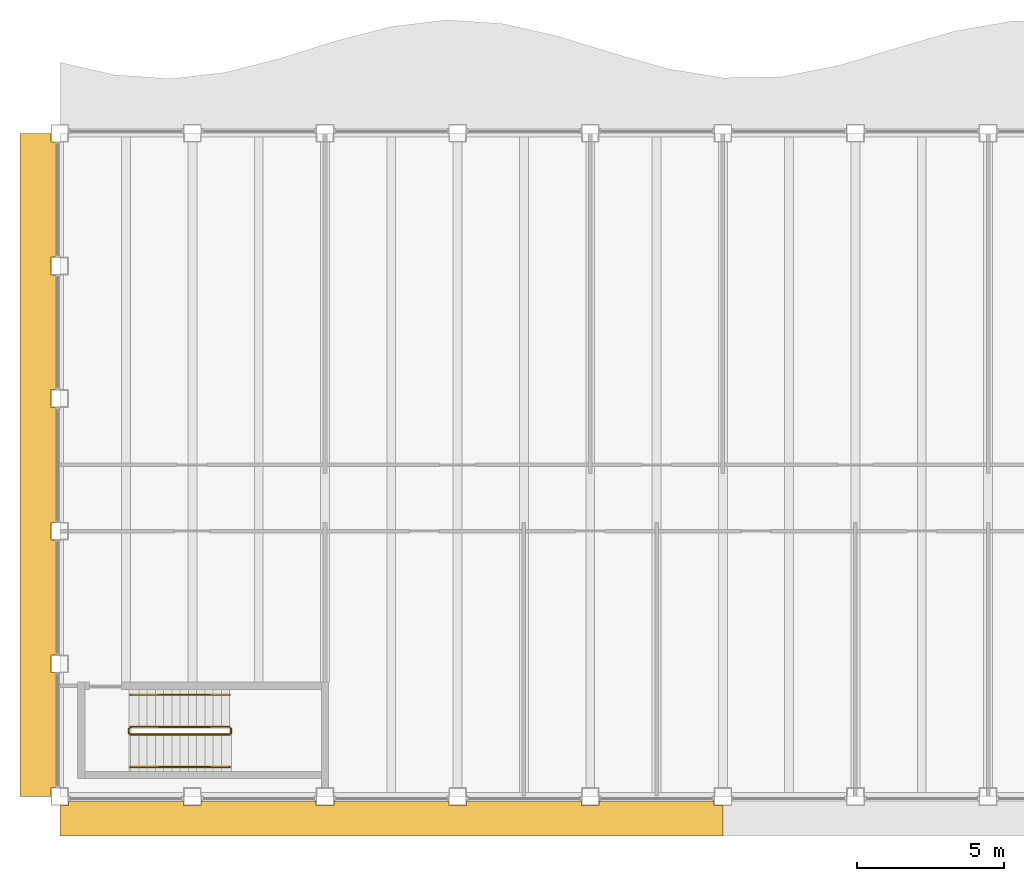
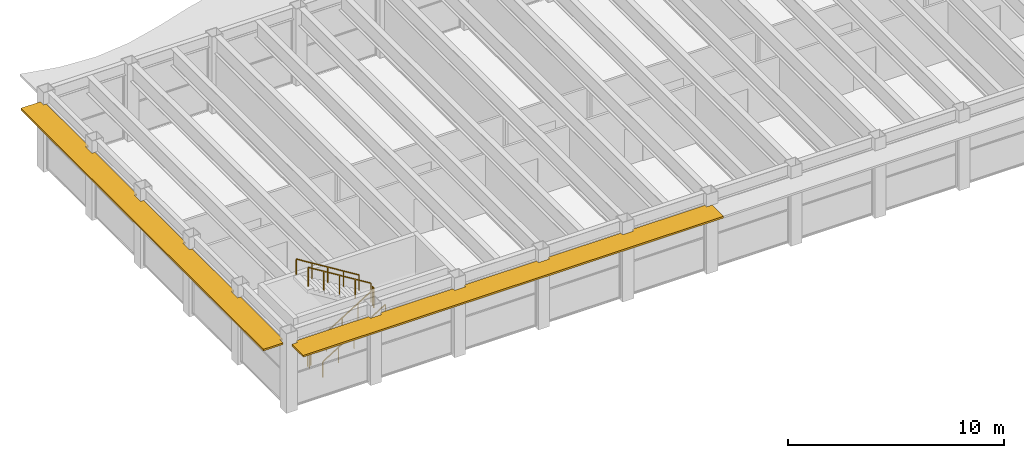
# One storey, part 12 of 14: 6 railings, 2 shading devices.
"""IFC4 building model written with IfcOpenShell, lengths in metres."""

from ifc_helpers import new_model, si_unit, direction, frame, origin, origin_2d, place, context, subcontext, project, spatial, polyline, rectangle, outline, extrude, material, layer, layer_set, type_object, element, save


model = new_model("IFC4")

# Units and contexts
model_context = context("Model", 3, precision=1e-05, world=origin(), true_north=direction((0.0, 1.0)))
body_context = subcontext(model_context, "Body", "Model", "MODEL_VIEW")
ifc_project = project(units=[si_unit("LENGTHUNIT", "METRE"), si_unit("AREAUNIT", "SQUARE_METRE"), si_unit("VOLUMEUNIT", "CUBIC_METRE"), si_unit("PLANEANGLEUNIT", "RADIAN"), si_unit("MASSUNIT", "GRAM", prefix="KILO")], contexts=[model_context])

# Site, building, storey
site_placement = place(None, origin())
site = spatial("IfcSite", under=ifc_project, at=site_placement, CompositionType="ELEMENT")
building_placement = place(site_placement, origin())
building = spatial("IfcBuilding", under=site, at=building_placement, Name="Sennacour Bend Tower", CompositionType="ELEMENT")
storey_placement = place(building_placement, frame((0.0, 0.0, 332.0)))
storey = spatial("IfcBuildingStorey", under=building, at=storey_placement, Name="L76", CompositionType="ELEMENT", Elevation=332.0)

# Railings
ifc_material_1 = material(Name="Stainless steel", Category="steel")
railing_type_1 = type_object("IfcRailingType", Name="RL-GUARD-1100", PredefinedType="GUARDRAIL", material=ifc_material_1)
railing_1_placement = place(storey_placement, frame((2.39990234375, 2.10009765625, 0.173095703125)))
element("IfcRailing", 1, at=railing_1_placement, inside=storey, type_object=railing_type_1, Name="L76 SK1 stair guard 1", PredefinedType="GUARDRAIL", context=body_context, shape_type="SweptSolid", body=[
    extrude(rectangle(XDim=0.048095703125, YDim=0.048095703125, at=origin_2d()), frame((0.0, 0.0, 1.076171875), z_axis=(0.850623216509, 0.0, 0.525775754039), x_axis=(0.0, 1.0, 0.0)), (0.0, 0.0, 1.0), 3.9501953125),
    extrude(rectangle(XDim=0.0419921875, YDim=0.0419921875, at=origin_2d()), origin(), (0.0, 0.0, 1.0), 1.052001953125),
    extrude(rectangle(XDim=0.0419921875, YDim=0.0419921875, at=origin_2d()), frame((0.840087890625, 0.0, 0.519287109375)), (0.0, 0.0, 1.0), 1.052001953125),
    extrude(rectangle(XDim=0.0419921875, YDim=0.0419921875, at=origin_2d()), frame((1.68017578125, 0.0, 1.03857421875)), (0.0, 0.0, 1.0), 1.052001953125),
    extrude(rectangle(XDim=0.0419921875, YDim=0.0419921875, at=origin_2d()), frame((2.52001953125, 0.0, 1.5576171875)), (0.0, 0.0, 1.0), 1.052001953125),
    extrude(rectangle(XDim=0.0419921875, YDim=0.0419921875, at=origin_2d()), frame((3.360107421875, 0.0, 2.076904296875)), (0.0, 0.0, 1.0), 1.052001953125),
])
railing_2_placement = place(storey_placement, frame((5.81005859375, 2.14990234375, 2.25)))
element("IfcRailing", 2, at=railing_2_placement, inside=storey, type_object=railing_type_1, Name="L76 SK1 stair guard 2", PredefinedType="GUARDRAIL", context=body_context, shape_type="SweptSolid", body=[
    extrude(rectangle(XDim=0.048095703125, YDim=0.048095703125, at=origin_2d()), frame((0.0, 0.0, 1.076171875), z_axis=(0.0, 1.0, 0.0), x_axis=(-1.0, 0.0, 0.0)), (0.0, 0.0, 1.0), 0.150146484375),
    extrude(rectangle(XDim=0.0419921875, YDim=0.0419921875, at=origin_2d()), origin(), (0.0, 0.0, 1.0), 1.052001953125),
    extrude(rectangle(XDim=0.0419921875, YDim=0.0419921875, at=origin_2d()), frame((0.0, 0.150146484375, 0.0)), (0.0, 0.0, 1.0), 1.052001953125),
])
railing_3_placement = place(storey_placement, frame((5.760009765625, 2.35009765625, 2.423095703125)))
element("IfcRailing", 3, at=railing_3_placement, inside=storey, type_object=railing_type_1, Name="L76 SK1 stair guard 3", PredefinedType="GUARDRAIL", context=body_context, shape_type="SweptSolid", body=[
    extrude(rectangle(XDim=0.048095703125, YDim=0.048095703125, at=origin_2d()), frame((0.0, 0.0, 1.076171875), z_axis=(-0.850623216509, 0.0, 0.525775754039), x_axis=(0.0, -1.0, 0.0)), (0.0, 0.0, 1.0), 3.9501953125),
    extrude(rectangle(XDim=0.0419921875, YDim=0.0419921875, at=origin_2d()), origin(), (0.0, 0.0, 1.0), 1.052001953125),
    extrude(rectangle(XDim=0.0419921875, YDim=0.0419921875, at=origin_2d()), frame((-0.840087890625, 0.0, 0.519287109375)), (0.0, 0.0, 1.0), 1.052001953125),
    extrude(rectangle(XDim=0.0419921875, YDim=0.0419921875, at=origin_2d()), frame((-1.68017578125, 0.0, 1.03857421875)), (0.0, 0.0, 1.0), 1.052001953125),
    extrude(rectangle(XDim=0.0419921875, YDim=0.0419921875, at=origin_2d()), frame((-2.52001953125, 0.0, 1.5576171875)), (0.0, 0.0, 1.0), 1.052001953125),
    extrude(rectangle(XDim=0.0419921875, YDim=0.0419921875, at=origin_2d()), frame((-3.360107421875, 0.0, 2.076904296875)), (0.0, 0.0, 1.0), 1.052001953125),
])
railing_4_placement = place(storey_placement, frame((2.35009765625, 2.14990234375, 0.0)))
element("IfcRailing", 4, at=railing_4_placement, inside=storey, type_object=railing_type_1, Name="L76 SK1 stair guard 4", PredefinedType="GUARDRAIL", context=body_context, shape_type="SweptSolid", body=[
    extrude(rectangle(XDim=0.048095703125, YDim=0.048095703125, at=origin_2d()), frame((0.0, 0.0, 1.076171875), z_axis=(0.0, 1.0, 0.0), x_axis=(-1.0, 0.0, 0.0)), (0.0, 0.0, 1.0), 0.150146484375),
    extrude(rectangle(XDim=0.0419921875, YDim=0.0419921875, at=origin_2d()), origin(), (0.0, 0.0, 1.0), 1.052001953125),
    extrude(rectangle(XDim=0.0419921875, YDim=0.0419921875, at=origin_2d()), frame((0.0, 0.150146484375, 0.0)), (0.0, 0.0, 1.0), 1.052001953125),
])
railing_type_2 = type_object("IfcRailingType", Name="RL-HANDRAIL-900", PredefinedType="HANDRAIL", material=ifc_material_1)
railing_5_placement = place(storey_placement, frame((2.39990234375, 1.0, 0.173095703125)))
element("IfcRailing", 5, at=railing_5_placement, inside=storey, type_object=railing_type_2, Name="L76 SK1 stair handrail 1", PredefinedType="HANDRAIL", context=body_context, shape_type="SweptSolid", body=[
    extrude(rectangle(XDim=0.048095703125, YDim=0.048095703125, at=origin_2d()), frame((0.0, 0.0, 0.8759765625), z_axis=(0.850623216509, 0.0, 0.525775754039), x_axis=(0.0, 1.0, 0.0)), (0.0, 0.0, 1.0), 3.9501953125),
    extrude(rectangle(XDim=0.0419921875, YDim=0.0419921875, at=origin_2d()), origin(), (0.0, 0.0, 1.0), 0.851806640625),
    extrude(rectangle(XDim=0.0419921875, YDim=0.0419921875, at=origin_2d()), frame((0.840087890625, 0.0, 0.519287109375)), (0.0, 0.0, 1.0), 0.851806640625),
    extrude(rectangle(XDim=0.0419921875, YDim=0.0419921875, at=origin_2d()), frame((1.68017578125, 0.0, 1.03857421875)), (0.0, 0.0, 1.0), 0.851806640625),
    extrude(rectangle(XDim=0.0419921875, YDim=0.0419921875, at=origin_2d()), frame((2.52001953125, 0.0, 1.5576171875)), (0.0, 0.0, 1.0), 0.851806640625),
    extrude(rectangle(XDim=0.0419921875, YDim=0.0419921875, at=origin_2d()), frame((3.360107421875, 0.0, 2.076904296875)), (0.0, 0.0, 1.0), 0.851806640625),
])
railing_6_placement = place(storey_placement, frame((5.760009765625, 3.449951171875, 2.423095703125)))
element("IfcRailing", 6, at=railing_6_placement, inside=storey, type_object=railing_type_2, Name="L76 SK1 stair handrail 2", PredefinedType="HANDRAIL", context=body_context, shape_type="SweptSolid", body=[
    extrude(rectangle(XDim=0.048095703125, YDim=0.048095703125, at=origin_2d()), frame((0.0, 0.0, 0.8759765625), z_axis=(-0.850623216509, 0.0, 0.525775754039), x_axis=(0.0, -1.0, 0.0)), (0.0, 0.0, 1.0), 3.9501953125),
    extrude(rectangle(XDim=0.0419921875, YDim=0.0419921875, at=origin_2d()), origin(), (0.0, 0.0, 1.0), 0.851806640625),
    extrude(rectangle(XDim=0.0419921875, YDim=0.0419921875, at=origin_2d()), frame((-0.840087890625, 0.0, 0.519287109375)), (0.0, 0.0, 1.0), 0.851806640625),
    extrude(rectangle(XDim=0.0419921875, YDim=0.0419921875, at=origin_2d()), frame((-1.68017578125, 0.0, 1.03857421875)), (0.0, 0.0, 1.0), 0.851806640625),
    extrude(rectangle(XDim=0.0419921875, YDim=0.0419921875, at=origin_2d()), frame((-2.52001953125, 0.0, 1.5576171875)), (0.0, 0.0, 1.0), 0.851806640625),
    extrude(rectangle(XDim=0.0419921875, YDim=0.0419921875, at=origin_2d()), frame((-3.360107421875, 0.0, 2.076904296875)), (0.0, 0.0, 1.0), 0.851806640625),
])

# Shading devices
ifc_material_2 = material(Name="Bronze anodised aluminium", Category="aluminium")
ifc_layer = layer(ifc_material_2, 0.10009765625, Name="Bronze anodised aluminium", Category="aluminium")
ifc_layer_set = layer_set([ifc_layer], Name="Bronze anodised aluminium")
shading_device_type = type_object("IfcShadingDeviceType", Name="SUNSHADE BAND STRAIGHT", PredefinedType="USERDEFINED", material=ifc_layer_set)
shading_device_1_placement = place(storey_placement, frame((0.0, 0.0, 3.572021484375)))
element("IfcShadingDevice", 7, at=shading_device_1_placement, inside=storey, type_object=shading_device_type, Name="Sunshade band L76 K outer face", ObjectType="SUNSHADE", PredefinedType="USERDEFINED", context=body_context, shape_type="SweptSolid", body=[
    extrude(outline(polyline([(4.199951171875, -0.14990234375), (4.199951171875, -0.300048828125), (4.800048828125, -0.300048828125), (4.800048828125, -0.14990234375), (8.699951171875, -0.14990234375), (8.699951171875, -0.300048828125), (9.300048828125, -0.300048828125), (9.300048828125, -0.14990234375), (13.199951171875, -0.14990234375), (13.199951171875, -0.300048828125), (13.800048828125, -0.300048828125), (13.800048828125, -0.14990234375), (17.699951171875, -0.14990234375), (17.699951171875, -0.300048828125), (18.300048828125, -0.300048828125), (18.300048828125, -0.14990234375), (22.199951171875, -0.14990234375), (22.199951171875, -0.300048828125), (22.5, -0.300048828125), (22.5, -1.35009765625), (0.0, -1.35009765625), (0.0, -0.300048828125), (0.300048828125, -0.300048828125), (0.300048828125, -0.14990234375), (4.199951171875, -0.14990234375)])), origin(), (0.0, 0.0, 1.0), 0.10009765625),
])
shading_device_2_placement = place(storey_placement, frame((0.0, 0.0, 3.572021484375)))
element("IfcShadingDevice", 8, at=shading_device_2_placement, inside=storey, type_object=shading_device_type, Name="Sunshade band L76 K outer face", ObjectType="SUNSHADE", PredefinedType="USERDEFINED", context=body_context, shape_type="SweptSolid", body=[
    extrude(outline(polyline([(-0.14990234375, 18.300048828125), (-0.300048828125, 18.300048828125), (-0.300048828125, 17.699951171875), (-0.14990234375, 17.699951171875), (-0.14990234375, 13.800048828125), (-0.300048828125, 13.800048828125), (-0.300048828125, 13.199951171875), (-0.14990234375, 13.199951171875), (-0.14990234375, 9.300048828125), (-0.300048828125, 9.300048828125), (-0.300048828125, 8.699951171875), (-0.14990234375, 8.699951171875), (-0.14990234375, 4.800048828125), (-0.300048828125, 4.800048828125), (-0.300048828125, 4.199951171875), (-0.14990234375, 4.199951171875), (-0.14990234375, 0.300048828125), (-0.300048828125, 0.300048828125), (-0.300048828125, 0.0), (-1.35009765625, 0.0), (-1.35009765625, 22.5), (-0.300048828125, 22.5), (-0.300048828125, 22.199951171875), (-0.14990234375, 22.199951171875), (-0.14990234375, 18.300048828125)])), origin(), (0.0, 0.0, 1.0), 0.10009765625),
])

save(model, "model.ifc")
